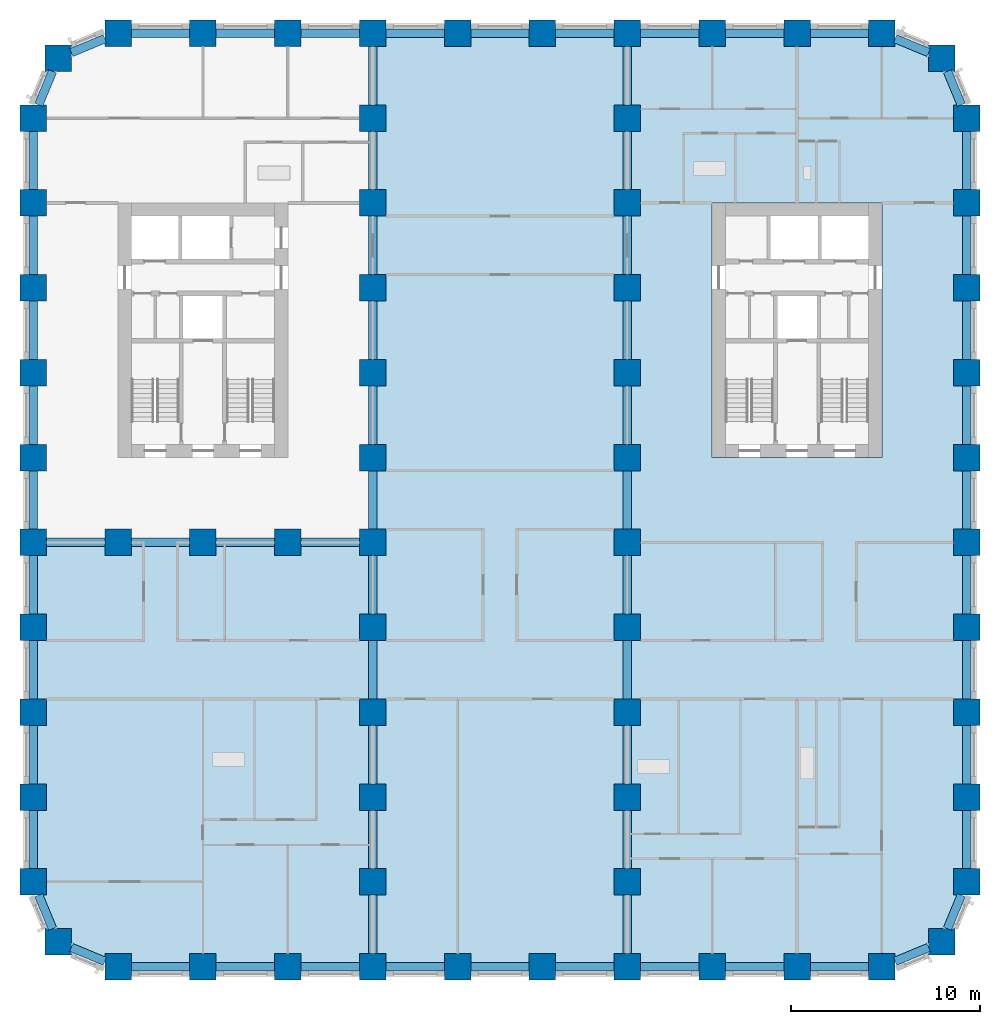
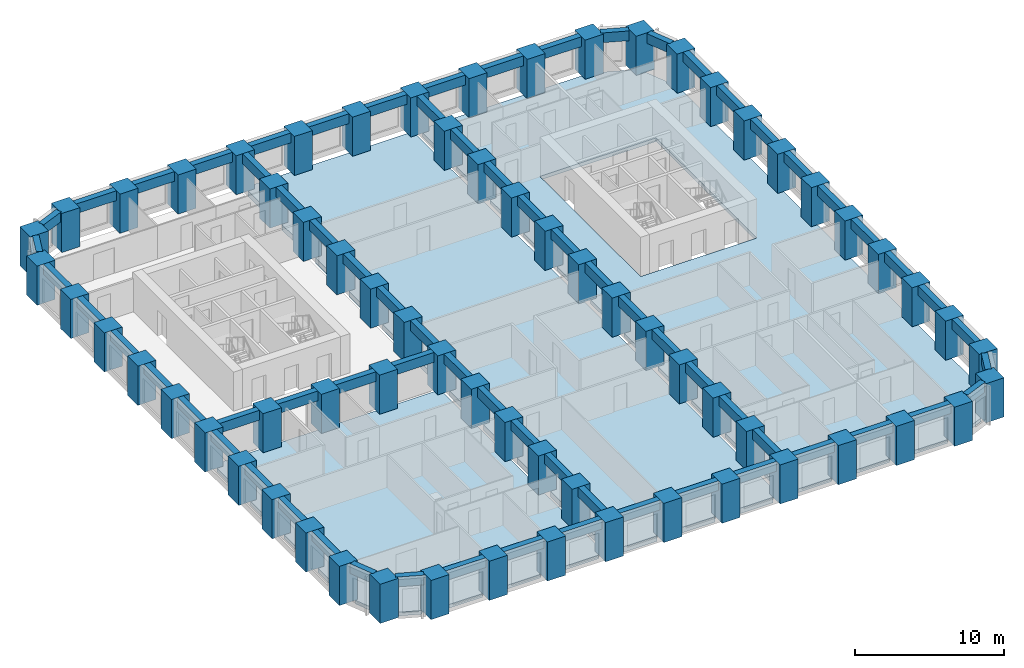
# One storey, part 1 of 12: 70 beams, 67 columns, 3 slabs.
"""IFC4 building model written with IfcOpenShell, lengths in metres."""

from ifc_helpers import new_model, si_unit, direction, frame, origin, origin_2d, place, context, subcontext, project, spatial, polyline, rectangle, outline, extrude, material, layer, layer_set, material_profile, profile_set, type_object, element, save


model = new_model("IFC4")

# Units and contexts
model_context = context("Model", 3, precision=1e-05, world=origin(), true_north=direction((0.0, 1.0)))
body_context = subcontext(model_context, "Body", "Model", "MODEL_VIEW")
ifc_project = project(units=[si_unit("LENGTHUNIT", "METRE"), si_unit("AREAUNIT", "SQUARE_METRE"), si_unit("VOLUMEUNIT", "CUBIC_METRE"), si_unit("PLANEANGLEUNIT", "RADIAN"), si_unit("MASSUNIT", "GRAM", prefix="KILO")], contexts=[model_context])

# Site, building, storey
site_placement = place(None, origin())
site = spatial("IfcSite", under=ifc_project, at=site_placement, CompositionType="ELEMENT")
building_placement = place(site_placement, origin())
building = spatial("IfcBuilding", under=site, at=building_placement, Name="Girih Gate Residences", CompositionType="ELEMENT")
storey_placement = place(building_placement, frame((0.0, 0.0, 72.0)))
storey = spatial("IfcBuildingStorey", under=building, at=storey_placement, Name="L19", CompositionType="ELEMENT", Elevation=72.0)

# Columns
ifc_material_1 = material(Name="Concrete C80/95", Category="concrete")
ifc_material_profile_1 = material_profile(ifc_material_1, rectangle(XDim=1.39990234375, YDim=1.39990234375, at=origin_2d()))
ifc_profile_set_1 = profile_set([ifc_material_profile_1], Name="Concrete C80/95")
column_type = type_object("IfcColumnType", Name="Pier RC 1400x1400 Concrete C80/95", PredefinedType="COLUMN", material=ifc_profile_set_1)
for number, where, z_axis, x_axis, name in (
    (1, (4.5, 0.0, 0.0), (0.0, 0.0, 1.0), (1.0, 0.0, 0.0), "Pier P2A L19"),
    (2, (9.0, 0.0, 0.0), (0.0, 0.0, 1.0), (1.0, 0.0, 0.0), "Pier P3A L19"),
    (3, (13.5, 0.0, 0.0), (0.0, 0.0, 1.0), (1.0, 0.0, 0.0), "Pier P4A L19"),
    (4, (18.0, 0.0, 0.0), (0.0, 0.0, 1.0), (1.0, 0.0, 0.0), "Pier P5A L19"),
    (5, (22.5, 0.0, 0.0), (0.0, 0.0, 1.0), (1.0, 0.0, 0.0), "Pier P6A L19"),
    (6, (27.0, 0.0, 0.0), (0.0, 0.0, 1.0), (1.0, 0.0, 0.0), "Pier P7A L19"),
    (7, (31.5, 0.0, 0.0), (0.0, 0.0, 1.0), (1.0, 0.0, 0.0), "Pier P8A L19"),
    (8, (36.0, 0.0, 0.0), (0.0, 0.0, 1.0), (1.0, 0.0, 0.0), "Pier P9A L19"),
    (9, (40.5, 0.0, 0.0), (0.0, 0.0, 1.0), (1.0, 0.0, 0.0), "Pier P10A L19"),
    (10, (45.0, 0.0, 0.0), (0.0, 0.0, 1.0), (1.0, 0.0, 0.0), "Pier P11A L19"),
    (11, (1.318115234375, 1.318115234375, 0.0), (0.0, 0.0, 1.0), (1.0, 0.0, 0.0), "Pier P1ANE L19"),
    (12, (48.181884765625, 1.318115234375, 0.0), (0.0, 0.0, 1.0), (1.0, 0.0, 0.0), "Pier P12ANW L19"),
    (13, (0.0, 4.5, 0.0), (0.0, 0.0, 1.0), (1.0, 0.0, 0.0), "Pier P1B L19"),
    (14, (18.0, 4.5, 0.0), (0.0, 0.0, 1.0), (1.0, 0.0, 0.0), "Pier P5B L19"),
    (15, (31.5, 4.5, 0.0), (0.0, 0.0, 1.0), (1.0, 0.0, 0.0), "Pier P8B L19"),
    (16, (49.5, 4.5, 0.0), (0.0, 0.0, 1.0), (1.0, 0.0, 0.0), "Pier P12B L19"),
    (17, (0.0, 9.0, 0.0), (0.0, 0.0, 1.0), (1.0, 0.0, 0.0), "Pier P1C L19"),
    (18, (18.0, 9.0, 0.0), (0.0, 0.0, 1.0), (1.0, 0.0, 0.0), "Pier P5C L19"),
    (19, (31.5, 9.0, 0.0), (0.0, 0.0, 1.0), (1.0, 0.0, 0.0), "Pier P8C L19"),
    (20, (49.5, 9.0, 0.0), (0.0, 0.0, 1.0), (1.0, 0.0, 0.0), "Pier P12C L19"),
    (21, (0.0, 13.5, 0.0), (0.0, 0.0, 1.0), (1.0, 0.0, 0.0), "Pier P1D L19"),
    (22, (18.0, 13.5, 0.0), (0.0, 0.0, 1.0), (1.0, 0.0, 0.0), "Pier P5D L19"),
    (23, (31.5, 13.5, 0.0), (0.0, 0.0, 1.0), (1.0, 0.0, 0.0), "Pier P8D L19"),
    (24, (49.5, 13.5, 0.0), (0.0, 0.0, 1.0), (1.0, 0.0, 0.0), "Pier P12D L19"),
    (25, (0.0, 18.0, 0.0), (0.0, 0.0, 1.0), (1.0, 0.0, 0.0), "Pier P1E L19"),
    (26, (18.0, 18.0, 0.0), (0.0, 0.0, 1.0), (1.0, 0.0, 0.0), "Pier P5E L19"),
    (27, (31.5, 18.0, 0.0), (0.0, 0.0, 1.0), (1.0, 0.0, 0.0), "Pier P8E L19"),
    (28, (49.5, 18.0, 0.0), (0.0, 0.0, 1.0), (1.0, 0.0, 0.0), "Pier P12E L19"),
    (29, (0.0, 22.5, 0.0), (0.0, 0.0, 1.0), (1.0, 0.0, 0.0), "Pier P1F L19"),
    (30, (4.5, 22.5, 0.0), (0.0, 0.0, 1.0), (1.0, 0.0, 0.0), "Pier P2F L19"),
    (31, (9.0, 22.5, 0.0), (0.0, 0.0, 1.0), (1.0, 0.0, 0.0), "Pier P3F L19"),
    (32, (13.5, 22.5, 0.0), (0.0, 0.0, 1.0), (1.0, 0.0, 0.0), "Pier P4F L19"),
    (33, (18.0, 22.5, 0.0), (0.0, 0.0, 1.0), (1.0, 0.0, 0.0), "Pier P5F L19"),
    (34, (31.5, 22.5, 0.0), (0.0, 0.0, 1.0), (1.0, 0.0, 0.0), "Pier P8F L19"),
    (35, (49.5, 22.5, 0.0), (0.0, 0.0, 1.0), (1.0, 0.0, 0.0), "Pier P12F L19"),
    (36, (0.0, 27.0, 0.0), (0.0, 0.0, 1.0), (1.0, 0.0, 0.0), "Pier P1G L19"),
    (37, (18.0, 27.0, 0.0), (0.0, 0.0, 1.0), (1.0, 0.0, 0.0), "Pier P5G L19"),
    (38, (31.5, 27.0, 0.0), (0.0, 0.0, 1.0), (1.0, 0.0, 0.0), "Pier P8G L19"),
    (39, (49.5, 27.0, 0.0), (0.0, 0.0, 1.0), (1.0, 0.0, 0.0), "Pier P12G L19"),
    (40, (0.0, 31.5, 0.0), (0.0, 0.0, 1.0), (1.0, 0.0, 0.0), "Pier P1H L19"),
    (41, (18.0, 31.5, 0.0), (0.0, 0.0, 1.0), (1.0, 0.0, 0.0), "Pier P5H L19"),
    (42, (31.5, 31.5, 0.0), (0.0, 0.0, 1.0), (1.0, 0.0, 0.0), "Pier P8H L19"),
    (43, (49.5, 31.5, 0.0), (0.0, 0.0, 1.0), (1.0, 0.0, 0.0), "Pier P12H L19"),
    (44, (0.0, 36.0, 0.0), (0.0, 0.0, 1.0), (1.0, 0.0, 0.0), "Pier P1I L19"),
    (45, (18.0, 36.0, 0.0), (0.0, 0.0, 1.0), (1.0, 0.0, 0.0), "Pier P5I L19"),
    (46, (31.5, 36.0, 0.0), (0.0, 0.0, 1.0), (1.0, 0.0, 0.0), "Pier P8I L19"),
    (47, (49.5, 36.0, 0.0), (0.0, 0.0, 1.0), (1.0, 0.0, 0.0), "Pier P12I L19"),
    (48, (0.0, 40.5, 0.0), (0.0, 0.0, 1.0), (1.0, 0.0, 0.0), "Pier P1J L19"),
    (49, (18.0, 40.5, 0.0), (0.0, 0.0, 1.0), (1.0, 0.0, 0.0), "Pier P5J L19"),
    (50, (31.5, 40.5, 0.0), (0.0, 0.0, 1.0), (1.0, 0.0, 0.0), "Pier P8J L19"),
    (51, (49.5, 40.5, 0.0), (0.0, 0.0, 1.0), (1.0, 0.0, 0.0), "Pier P12J L19"),
    (52, (0.0, 45.0, 0.0), (0.0, 0.0, 1.0), (1.0, 0.0, 0.0), "Pier P1K L19"),
    (53, (18.0, 45.0, 0.0), (0.0, 0.0, 1.0), (1.0, 0.0, 0.0), "Pier P5K L19"),
    (54, (31.5, 45.0, 0.0), (0.0, 0.0, 1.0), (1.0, 0.0, 0.0), "Pier P8K L19"),
    (55, (49.5, 45.0, 0.0), (0.0, 0.0, 1.0), (1.0, 0.0, 0.0), "Pier P12K L19"),
    (56, (1.318115234375, 48.181884765625, 0.0), (0.0, 0.0, 1.0), (1.0, 0.0, 0.0), "Pier P1LSE L19"),
    (57, (48.181884765625, 48.181884765625, 0.0), (0.0, 0.0, 1.0), (1.0, 0.0, 0.0), "Pier P12LSW L19"),
    (58, (4.5, 49.5, 0.0), (0.0, 0.0, 1.0), (1.0, 0.0, 0.0), "Pier P2L L19"),
    (59, (9.0, 49.5, 0.0), (0.0, 0.0, 1.0), (1.0, 0.0, 0.0), "Pier P3L L19"),
    (60, (13.5, 49.5, 0.0), (0.0, 0.0, 1.0), (1.0, 0.0, 0.0), "Pier P4L L19"),
    (61, (18.0, 49.5, 0.0), (0.0, 0.0, 1.0), (1.0, 0.0, 0.0), "Pier P5L L19"),
    (62, (22.5, 49.5, 0.0), (0.0, 0.0, 1.0), (1.0, 0.0, 0.0), "Pier P6L L19"),
    (63, (27.0, 49.5, 0.0), (0.0, 0.0, 1.0), (1.0, 0.0, 0.0), "Pier P7L L19"),
    (64, (31.5, 49.5, 0.0), (0.0, 0.0, 1.0), (1.0, 0.0, 0.0), "Pier P8L L19"),
    (65, (36.0, 49.5, 0.0), (0.0, 0.0, 1.0), (1.0, 0.0, 0.0), "Pier P9L L19"),
    (66, (40.5, 49.5, 0.0), (0.0, 0.0, 1.0), (1.0, 0.0, 0.0), "Pier P10L L19"),
    (67, (45.0, 49.5, 0.0), (0.0, 0.0, 1.0), (1.0, 0.0, 0.0), "Pier P11L L19"),
):
    element("IfcColumn", number, at=place(storey_placement, frame(where, z_axis=z_axis, x_axis=x_axis)), inside=storey, type_object=column_type, Name=name, PredefinedType="COLUMN", context=body_context, shape_type="SweptSolid", body=[
        extrude(rectangle(XDim=1.39990234375, YDim=1.39990234375, at=origin_2d()), origin(), (0.0, 0.0, 1.0), 3.199951171875),
    ])

# Beams
ifc_material_2 = material(Name="Concrete C60/75", Category="concrete")
ifc_material_profile_2 = material_profile(ifc_material_2, rectangle(XDim=0.449951171875, YDim=0.800048828125, at=origin_2d()))
ifc_profile_set_2 = profile_set([ifc_material_profile_2], Name="Concrete C60/75")
beam_type = type_object("IfcBeamType", Name="Spandrel girder RC 450x800 Concrete C60/75", PredefinedType="BEAM", material=ifc_profile_set_2)
for number, where, z_axis, x_axis, name in (
    (68, (0.2900390625, 3.800048828125, 2.800048828125), (0.382646180293, -0.923894961945, 0.0), (0.923894961945, 0.382646180293, 0.0), "Spandrel girder SP-P1B-P1ANE L19"),
    (69, (2.01806640625, 1.028076171875, 2.800048828125), (0.923894961945, -0.382646180293, 0.0), (0.382646180293, 0.923894961945, 0.0), "Spandrel girder SP-P1ANE-P2A L19"),
):
    element("IfcBeam", number, at=place(storey_placement, frame(where, z_axis=z_axis, x_axis=x_axis)), inside=storey, type_object=beam_type, Name=name, PredefinedType="BEAM", context=body_context, shape_type="SweptSolid", body=[
        extrude(rectangle(XDim=0.449951171875, YDim=0.800048828125, at=origin_2d()), origin(), (0.0, 0.0, 1.0), 1.9287109375),
    ])
for number, where, z_axis, x_axis, name in (
    (70, (5.199951171875, 0.0, 2.800048828125), (1.0, 0.0, 0.0), (0.0, 1.0, 0.0), "Spandrel girder SP-P2A-P3A L19"),
    (71, (9.699951171875, 0.0, 2.800048828125), (1.0, 0.0, 0.0), (0.0, 1.0, 0.0), "Spandrel girder SP-P3A-P4A L19"),
    (72, (14.199951171875, 0.0, 2.800048828125), (1.0, 0.0, 0.0), (0.0, 1.0, 0.0), "Spandrel girder SP-P4A-P5A L19"),
    (73, (18.699951171875, 0.0, 2.800048828125), (1.0, 0.0, 0.0), (0.0, 1.0, 0.0), "Spandrel girder SP-P5A-P6A L19"),
    (74, (23.199951171875, 0.0, 2.800048828125), (1.0, 0.0, 0.0), (0.0, 1.0, 0.0), "Spandrel girder SP-P6A-P7A L19"),
    (75, (27.699951171875, 0.0, 2.800048828125), (1.0, 0.0, 0.0), (0.0, 1.0, 0.0), "Spandrel girder SP-P7A-P8A L19"),
    (76, (32.199951171875, 0.0, 2.800048828125), (1.0, 0.0, 0.0), (0.0, 1.0, 0.0), "Spandrel girder SP-P8A-P9A L19"),
    (77, (36.699951171875, 0.0, 2.800048828125), (1.0, 0.0, 0.0), (0.0, 1.0, 0.0), "Spandrel girder SP-P9A-P10A L19"),
    (78, (41.199951171875, 0.0, 2.800048828125), (1.0, 0.0, 0.0), (0.0, 1.0, 0.0), "Spandrel girder SP-P10A-P11A L19"),
):
    element("IfcBeam", number, at=place(storey_placement, frame(where, z_axis=z_axis, x_axis=x_axis)), inside=storey, type_object=beam_type, Name=name, PredefinedType="BEAM", context=body_context, shape_type="SweptSolid", body=[
        extrude(rectangle(XDim=0.449951171875, YDim=0.800048828125, at=origin_2d()), origin(), (0.0, 0.0, 1.0), 3.10009765625),
    ])
for number, where, z_axis, x_axis, name in (
    (79, (45.699951171875, 0.2900390625, 2.800048828125), (0.923894961945, 0.382646180293, 0.0), (-0.382646180293, 0.923894961945, 0.0), "Spandrel girder SP-P11A-P12ANW L19"),
    (80, (48.471923828125, 2.01806640625, 2.800048828125), (0.382646180293, 0.923894961945, 0.0), (-0.923894961945, 0.382646180293, 0.0), "Spandrel girder SP-P12ANW-P12B L19"),
):
    element("IfcBeam", number, at=place(storey_placement, frame(where, z_axis=z_axis, x_axis=x_axis)), inside=storey, type_object=beam_type, Name=name, PredefinedType="BEAM", context=body_context, shape_type="SweptSolid", body=[
        extrude(rectangle(XDim=0.449951171875, YDim=0.800048828125, at=origin_2d()), origin(), (0.0, 0.0, 1.0), 1.9287109375),
    ])
for number, where, z_axis, x_axis, name in (
    (81, (49.5, 5.199951171875, 2.800048828125), (0.0, 1.0, 0.0), (-1.0, 0.0, 0.0), "Spandrel girder SP-P12B-P12C L19"),
    (82, (49.5, 9.699951171875, 2.800048828125), (0.0, 1.0, 0.0), (-1.0, 0.0, 0.0), "Spandrel girder SP-P12C-P12D L19"),
    (83, (49.5, 14.199951171875, 2.800048828125), (0.0, 1.0, 0.0), (-1.0, 0.0, 0.0), "Spandrel girder SP-P12D-P12E L19"),
    (84, (49.5, 18.699951171875, 2.800048828125), (0.0, 1.0, 0.0), (-1.0, 0.0, 0.0), "Spandrel girder SP-P12E-P12F L19"),
    (85, (49.5, 23.199951171875, 2.800048828125), (0.0, 1.0, 0.0), (-1.0, 0.0, 0.0), "Spandrel girder SP-P12F-P12G L19"),
    (86, (49.5, 27.699951171875, 2.800048828125), (0.0, 1.0, 0.0), (-1.0, 0.0, 0.0), "Spandrel girder SP-P12G-P12H L19"),
    (87, (49.5, 32.199951171875, 2.800048828125), (0.0, 1.0, 0.0), (-1.0, 0.0, 0.0), "Spandrel girder SP-P12H-P12I L19"),
    (88, (49.5, 36.699951171875, 2.800048828125), (0.0, 1.0, 0.0), (-1.0, 0.0, 0.0), "Spandrel girder SP-P12I-P12J L19"),
    (89, (49.5, 41.199951171875, 2.800048828125), (0.0, 1.0, 0.0), (-1.0, 0.0, 0.0), "Spandrel girder SP-P12J-P12K L19"),
):
    element("IfcBeam", number, at=place(storey_placement, frame(where, z_axis=z_axis, x_axis=x_axis)), inside=storey, type_object=beam_type, Name=name, PredefinedType="BEAM", context=body_context, shape_type="SweptSolid", body=[
        extrude(rectangle(XDim=0.449951171875, YDim=0.800048828125, at=origin_2d()), origin(), (0.0, 0.0, 1.0), 3.10009765625),
    ])
for number, where, z_axis, x_axis, name in (
    (90, (49.2099609375, 45.699951171875, 2.800048828125), (-0.382646180293, 0.923894961945, 0.0), (-0.923894961945, -0.382646180293, 0.0), "Spandrel girder SP-P12K-P12LSW L19"),
    (91, (47.48193359375, 48.471923828125, 2.800048828125), (-0.923894961945, 0.382646180293, 0.0), (-0.382646180293, -0.923894961945, 0.0), "Spandrel girder SP-P12LSW-P11L L19"),
):
    element("IfcBeam", number, at=place(storey_placement, frame(where, z_axis=z_axis, x_axis=x_axis)), inside=storey, type_object=beam_type, Name=name, PredefinedType="BEAM", context=body_context, shape_type="SweptSolid", body=[
        extrude(rectangle(XDim=0.449951171875, YDim=0.800048828125, at=origin_2d()), origin(), (0.0, 0.0, 1.0), 1.9287109375),
    ])
for number, where, z_axis, x_axis, name in (
    (92, (44.300048828125, 49.5, 2.800048828125), (-1.0, 0.0, 0.0), (0.0, -1.0, 0.0), "Spandrel girder SP-P11L-P10L L19"),
    (93, (39.800048828125, 49.5, 2.800048828125), (-1.0, 0.0, 0.0), (0.0, -1.0, 0.0), "Spandrel girder SP-P10L-P9L L19"),
    (94, (35.300048828125, 49.5, 2.800048828125), (-1.0, 0.0, 0.0), (0.0, -1.0, 0.0), "Spandrel girder SP-P9L-P8L L19"),
    (95, (30.800048828125, 49.5, 2.800048828125), (-1.0, 0.0, 0.0), (0.0, -1.0, 0.0), "Spandrel girder SP-P8L-P7L L19"),
    (96, (26.300048828125, 49.5, 2.800048828125), (-1.0, 0.0, 0.0), (0.0, -1.0, 0.0), "Spandrel girder SP-P7L-P6L L19"),
    (97, (21.800048828125, 49.5, 2.800048828125), (-1.0, 0.0, 0.0), (0.0, -1.0, 0.0), "Spandrel girder SP-P6L-P5L L19"),
    (98, (17.300048828125, 49.5, 2.800048828125), (-1.0, 0.0, 0.0), (0.0, -1.0, 0.0), "Spandrel girder SP-P5L-P4L L19"),
    (99, (12.800048828125, 49.5, 2.800048828125), (-1.0, 0.0, 0.0), (0.0, -1.0, 0.0), "Spandrel girder SP-P4L-P3L L19"),
    (100, (8.300048828125, 49.5, 2.800048828125), (-1.0, 0.0, 0.0), (0.0, -1.0, 0.0), "Spandrel girder SP-P3L-P2L L19"),
):
    element("IfcBeam", number, at=place(storey_placement, frame(where, z_axis=z_axis, x_axis=x_axis)), inside=storey, type_object=beam_type, Name=name, PredefinedType="BEAM", context=body_context, shape_type="SweptSolid", body=[
        extrude(rectangle(XDim=0.449951171875, YDim=0.800048828125, at=origin_2d()), origin(), (0.0, 0.0, 1.0), 3.10009765625),
    ])
for number, where, z_axis, x_axis, name in (
    (101, (3.800048828125, 49.2099609375, 2.800048828125), (-0.923894961945, -0.382646180293, 0.0), (0.382646180293, -0.923894961945, 0.0), "Spandrel girder SP-P2L-P1LSE L19"),
    (102, (1.028076171875, 47.48193359375, 2.800048828125), (-0.382646180293, -0.923894961945, 0.0), (0.923894961945, -0.382646180293, 0.0), "Spandrel girder SP-P1LSE-P1K L19"),
):
    element("IfcBeam", number, at=place(storey_placement, frame(where, z_axis=z_axis, x_axis=x_axis)), inside=storey, type_object=beam_type, Name=name, PredefinedType="BEAM", context=body_context, shape_type="SweptSolid", body=[
        extrude(rectangle(XDim=0.449951171875, YDim=0.800048828125, at=origin_2d()), origin(), (0.0, 0.0, 1.0), 1.9287109375),
    ])
for number, where, z_axis, x_axis, name in (
    (103, (0.0, 44.300048828125, 2.800048828125), (0.0, -1.0, 0.0), (1.0, 0.0, 0.0), "Spandrel girder SP-P1K-P1J L19"),
    (104, (0.0, 39.800048828125, 2.800048828125), (0.0, -1.0, 0.0), (1.0, 0.0, 0.0), "Spandrel girder SP-P1J-P1I L19"),
    (105, (0.0, 35.300048828125, 2.800048828125), (0.0, -1.0, 0.0), (1.0, 0.0, 0.0), "Spandrel girder SP-P1I-P1H L19"),
    (106, (0.0, 30.800048828125, 2.800048828125), (0.0, -1.0, 0.0), (1.0, 0.0, 0.0), "Spandrel girder SP-P1H-P1G L19"),
    (107, (0.0, 26.300048828125, 2.800048828125), (0.0, -1.0, 0.0), (1.0, 0.0, 0.0), "Spandrel girder SP-P1G-P1F L19"),
    (108, (0.0, 21.800048828125, 2.800048828125), (0.0, -1.0, 0.0), (1.0, 0.0, 0.0), "Spandrel girder SP-P1F-P1E L19"),
    (109, (0.0, 17.300048828125, 2.800048828125), (0.0, -1.0, 0.0), (1.0, 0.0, 0.0), "Spandrel girder SP-P1E-P1D L19"),
    (110, (0.0, 12.800048828125, 2.800048828125), (0.0, -1.0, 0.0), (1.0, 0.0, 0.0), "Spandrel girder SP-P1D-P1C L19"),
    (111, (0.0, 8.300048828125, 2.800048828125), (0.0, -1.0, 0.0), (1.0, 0.0, 0.0), "Spandrel girder SP-P1C-P1B L19"),
    (112, (18.0, 0.699951171875, 2.800048828125), (0.0, 1.0, 0.0), (-1.0, 0.0, 0.0), "Spandrel girder SP-P5A-P5B L19"),
    (113, (18.0, 5.199951171875, 2.800048828125), (0.0, 1.0, 0.0), (-1.0, 0.0, 0.0), "Spandrel girder SP-P5B-P5C L19"),
    (114, (18.0, 9.699951171875, 2.800048828125), (0.0, 1.0, 0.0), (-1.0, 0.0, 0.0), "Spandrel girder SP-P5C-P5D L19"),
    (115, (18.0, 14.199951171875, 2.800048828125), (0.0, 1.0, 0.0), (-1.0, 0.0, 0.0), "Spandrel girder SP-P5D-P5E L19"),
    (116, (18.0, 18.699951171875, 2.800048828125), (0.0, 1.0, 0.0), (-1.0, 0.0, 0.0), "Spandrel girder SP-P5E-P5F L19"),
    (117, (18.0, 23.199951171875, 2.800048828125), (0.0, 1.0, 0.0), (-1.0, 0.0, 0.0), "Spandrel girder SP-P5F-P5G L19"),
    (118, (18.0, 27.699951171875, 2.800048828125), (0.0, 1.0, 0.0), (-1.0, 0.0, 0.0), "Spandrel girder SP-P5G-P5H L19"),
    (119, (18.0, 32.199951171875, 2.800048828125), (0.0, 1.0, 0.0), (-1.0, 0.0, 0.0), "Spandrel girder SP-P5H-P5I L19"),
    (120, (18.0, 36.699951171875, 2.800048828125), (0.0, 1.0, 0.0), (-1.0, 0.0, 0.0), "Spandrel girder SP-P5I-P5J L19"),
    (121, (18.0, 41.199951171875, 2.800048828125), (0.0, 1.0, 0.0), (-1.0, 0.0, 0.0), "Spandrel girder SP-P5J-P5K L19"),
    (122, (18.0, 45.699951171875, 2.800048828125), (0.0, 1.0, 0.0), (-1.0, 0.0, 0.0), "Spandrel girder SP-P5K-P5L L19"),
    (123, (31.5, 0.699951171875, 2.800048828125), (0.0, 1.0, 0.0), (-1.0, 0.0, 0.0), "Spandrel girder SP-P8A-P8B L19"),
    (124, (31.5, 5.199951171875, 2.800048828125), (0.0, 1.0, 0.0), (-1.0, 0.0, 0.0), "Spandrel girder SP-P8B-P8C L19"),
    (125, (31.5, 9.699951171875, 2.800048828125), (0.0, 1.0, 0.0), (-1.0, 0.0, 0.0), "Spandrel girder SP-P8C-P8D L19"),
    (126, (31.5, 14.199951171875, 2.800048828125), (0.0, 1.0, 0.0), (-1.0, 0.0, 0.0), "Spandrel girder SP-P8D-P8E L19"),
    (127, (31.5, 18.699951171875, 2.800048828125), (0.0, 1.0, 0.0), (-1.0, 0.0, 0.0), "Spandrel girder SP-P8E-P8F L19"),
    (128, (31.5, 23.199951171875, 2.800048828125), (0.0, 1.0, 0.0), (-1.0, 0.0, 0.0), "Spandrel girder SP-P8F-P8G L19"),
    (129, (31.5, 27.699951171875, 2.800048828125), (0.0, 1.0, 0.0), (-1.0, 0.0, 0.0), "Spandrel girder SP-P8G-P8H L19"),
    (130, (31.5, 32.199951171875, 2.800048828125), (0.0, 1.0, 0.0), (-1.0, 0.0, 0.0), "Spandrel girder SP-P8H-P8I L19"),
    (131, (31.5, 36.699951171875, 2.800048828125), (0.0, 1.0, 0.0), (-1.0, 0.0, 0.0), "Spandrel girder SP-P8I-P8J L19"),
    (132, (31.5, 41.199951171875, 2.800048828125), (0.0, 1.0, 0.0), (-1.0, 0.0, 0.0), "Spandrel girder SP-P8J-P8K L19"),
    (133, (31.5, 45.699951171875, 2.800048828125), (0.0, 1.0, 0.0), (-1.0, 0.0, 0.0), "Spandrel girder SP-P8K-P8L L19"),
    (134, (0.699951171875, 22.5, 2.800048828125), (1.0, 0.0, 0.0), (0.0, 1.0, 0.0), "Spandrel girder SP-P1F-P2F L19"),
    (135, (5.199951171875, 22.5, 2.800048828125), (1.0, 0.0, 0.0), (0.0, 1.0, 0.0), "Spandrel girder SP-P2F-P3F L19"),
    (136, (9.699951171875, 22.5, 2.800048828125), (1.0, 0.0, 0.0), (0.0, 1.0, 0.0), "Spandrel girder SP-P3F-P4F L19"),
    (137, (14.199951171875, 22.5, 2.800048828125), (1.0, 0.0, 0.0), (0.0, 1.0, 0.0), "Spandrel girder SP-P4F-P5F L19"),
):
    element("IfcBeam", number, at=place(storey_placement, frame(where, z_axis=z_axis, x_axis=x_axis)), inside=storey, type_object=beam_type, Name=name, PredefinedType="BEAM", context=body_context, shape_type="SweptSolid", body=[
        extrude(rectangle(XDim=0.449951171875, YDim=0.800048828125, at=origin_2d()), origin(), (0.0, 0.0, 1.0), 3.10009765625),
    ])

# Slabs
ifc_material_3 = material(Name="Concrete C40/50", Category="concrete")
ifc_layer_1 = layer(ifc_material_3, 0.300048828125)
ifc_layer_set_1 = layer_set([ifc_layer_1], Name="Floor slab PT 300 Concrete C40/50")
slab_type_1 = type_object("IfcSlabType", Name="Floor slab PT 300 Concrete C40/50", PredefinedType="FLOOR", material=ifc_layer_set_1)
slab_1_placement = place(storey_placement, frame((0.0, 0.0, -0.300048828125)))
element("IfcSlab", 138, at=slab_1_placement, inside=storey, type_object=slab_type_1, Name="Floor slab L19 0", PredefinedType="FLOOR", context=body_context, shape_type="SweptSolid", body=[
    extrude(outline(polyline([(0.22509765625, 8.300048828125), (0.22509765625, 5.199951171875), (0.699951171875, 5.199951171875), (0.699951171875, 3.800048828125), (0.533447265625, 3.800048828125), (1.271728515625, 2.01806640625), (2.01806640625, 2.01806640625), (2.01806640625, 1.271728515625), (3.800048828125, 0.533447265625), (3.800048828125, 0.699951171875), (5.199951171875, 0.699951171875), (5.199951171875, 0.22509765625), (8.300048828125, 0.22509765625), (8.300048828125, 0.699951171875), (9.699951171875, 0.699951171875), (9.699951171875, 0.22509765625), (12.800048828125, 0.22509765625), (12.800048828125, 0.699951171875), (14.199951171875, 0.699951171875), (14.199951171875, 0.22509765625), (17.300048828125, 0.22509765625), (17.300048828125, 0.699951171875), (17.77490234375, 0.699951171875), (17.77490234375, 3.800048828125), (17.300048828125, 3.800048828125), (17.300048828125, 5.199951171875), (17.77490234375, 5.199951171875), (17.77490234375, 8.300048828125), (17.300048828125, 8.300048828125), (17.300048828125, 9.699951171875), (17.77490234375, 9.699951171875), (17.77490234375, 12.800048828125), (17.300048828125, 12.800048828125), (17.300048828125, 14.199951171875), (17.77490234375, 14.199951171875), (17.77490234375, 17.300048828125), (17.300048828125, 17.300048828125), (17.300048828125, 18.699951171875), (17.77490234375, 18.699951171875), (17.77490234375, 21.800048828125), (17.300048828125, 21.800048828125), (17.300048828125, 22.27490234375), (14.199951171875, 22.27490234375), (14.199951171875, 21.800048828125), (12.800048828125, 21.800048828125), (12.800048828125, 22.27490234375), (9.699951171875, 22.27490234375), (9.699951171875, 21.800048828125), (8.300048828125, 21.800048828125), (8.300048828125, 22.27490234375), (5.199951171875, 22.27490234375), (5.199951171875, 21.800048828125), (3.800048828125, 21.800048828125), (3.800048828125, 22.27490234375), (0.699951171875, 22.27490234375), (0.699951171875, 21.800048828125), (0.22509765625, 21.800048828125), (0.22509765625, 18.699951171875), (0.699951171875, 18.699951171875), (0.699951171875, 17.300048828125), (0.22509765625, 17.300048828125), (0.22509765625, 14.199951171875), (0.699951171875, 14.199951171875), (0.699951171875, 12.800048828125), (0.22509765625, 12.800048828125), (0.22509765625, 9.699951171875), (0.699951171875, 9.699951171875), (0.699951171875, 8.300048828125), (0.22509765625, 8.300048828125)])), origin(), (0.0, 0.0, 1.0), 0.300048828125),
])
slab_2_placement = place(storey_placement, frame((0.0, 0.0, -0.300048828125)))
element("IfcSlab", 139, at=slab_2_placement, inside=storey, type_object=slab_type_1, Name="Floor slab L19 1", PredefinedType="FLOOR", context=body_context, shape_type="SweptSolid", body=[
    extrude(outline(polyline([(35.300048828125, 49.27490234375), (32.199951171875, 49.27490234375), (32.199951171875, 48.800048828125), (31.72509765625, 48.800048828125), (31.72509765625, 45.699951171875), (32.199951171875, 45.699951171875), (32.199951171875, 44.300048828125), (31.72509765625, 44.300048828125), (31.72509765625, 41.199951171875), (32.199951171875, 41.199951171875), (32.199951171875, 39.800048828125), (31.72509765625, 39.800048828125), (31.72509765625, 36.699951171875), (32.199951171875, 36.699951171875), (32.199951171875, 35.300048828125), (31.72509765625, 35.300048828125), (31.72509765625, 32.199951171875), (32.199951171875, 32.199951171875), (32.199951171875, 30.800048828125), (31.72509765625, 30.800048828125), (31.72509765625, 27.699951171875), (32.199951171875, 27.699951171875), (32.199951171875, 26.300048828125), (31.72509765625, 26.300048828125), (31.72509765625, 23.199951171875), (32.199951171875, 23.199951171875), (32.199951171875, 21.800048828125), (31.72509765625, 21.800048828125), (31.72509765625, 18.699951171875), (32.199951171875, 18.699951171875), (32.199951171875, 17.300048828125), (31.72509765625, 17.300048828125), (31.72509765625, 14.199951171875), (32.199951171875, 14.199951171875), (32.199951171875, 12.800048828125), (31.72509765625, 12.800048828125), (31.72509765625, 9.699951171875), (32.199951171875, 9.699951171875), (32.199951171875, 8.300048828125), (31.72509765625, 8.300048828125), (31.72509765625, 5.199951171875), (32.199951171875, 5.199951171875), (32.199951171875, 3.800048828125), (31.72509765625, 3.800048828125), (31.72509765625, 0.699951171875), (32.199951171875, 0.699951171875), (32.199951171875, 0.22509765625), (35.300048828125, 0.22509765625), (35.300048828125, 0.699951171875), (36.699951171875, 0.699951171875), (36.699951171875, 0.22509765625), (39.800048828125, 0.22509765625), (39.800048828125, 0.699951171875), (41.199951171875, 0.699951171875), (41.199951171875, 0.22509765625), (44.300048828125, 0.22509765625), (44.300048828125, 0.699951171875), (45.699951171875, 0.699951171875), (45.699951171875, 0.533447265625), (47.48193359375, 1.271728515625), (47.48193359375, 2.01806640625), (48.228271484375, 2.01806640625), (48.966552734375, 3.800048828125), (48.800048828125, 3.800048828125), (48.800048828125, 5.199951171875), (49.27490234375, 5.199951171875), (49.27490234375, 8.300048828125), (48.800048828125, 8.300048828125), (48.800048828125, 9.699951171875), (49.27490234375, 9.699951171875), (49.27490234375, 12.800048828125), (48.800048828125, 12.800048828125), (48.800048828125, 14.199951171875), (49.27490234375, 14.199951171875), (49.27490234375, 17.300048828125), (48.800048828125, 17.300048828125), (48.800048828125, 18.699951171875), (49.27490234375, 18.699951171875), (49.27490234375, 21.800048828125), (48.800048828125, 21.800048828125), (48.800048828125, 23.199951171875), (49.27490234375, 23.199951171875), (49.27490234375, 26.300048828125), (48.800048828125, 26.300048828125), (48.800048828125, 27.699951171875), (49.27490234375, 27.699951171875), (49.27490234375, 30.800048828125), (48.800048828125, 30.800048828125), (48.800048828125, 32.199951171875), (49.27490234375, 32.199951171875), (49.27490234375, 35.300048828125), (48.800048828125, 35.300048828125), (48.800048828125, 36.699951171875), (49.27490234375, 36.699951171875), (49.27490234375, 39.800048828125), (48.800048828125, 39.800048828125), (48.800048828125, 41.199951171875), (49.27490234375, 41.199951171875), (49.27490234375, 44.300048828125), (48.800048828125, 44.300048828125), (48.800048828125, 45.699951171875), (48.966552734375, 45.699951171875), (48.228271484375, 47.48193359375), (47.48193359375, 47.48193359375), (47.48193359375, 48.228271484375), (45.699951171875, 48.966552734375), (45.699951171875, 48.800048828125), (44.300048828125, 48.800048828125), (44.300048828125, 49.27490234375), (41.199951171875, 49.27490234375), (41.199951171875, 48.800048828125), (39.800048828125, 48.800048828125), (39.800048828125, 49.27490234375), (36.699951171875, 49.27490234375), (36.699951171875, 48.800048828125), (35.300048828125, 48.800048828125), (35.300048828125, 49.27490234375)]), holes=[polyline([(45.0, 40.5), (45.0, 27.0), (36.0, 27.0), (36.0, 40.5), (45.0, 40.5)])]), origin(), (0.0, 0.0, 1.0), 0.300048828125),
])
ifc_layer_2 = layer(ifc_material_3, 0.449951171875)
ifc_layer_set_2 = layer_set([ifc_layer_2], Name="Floor slab PT 450 Concrete C40/50")
slab_type_2 = type_object("IfcSlabType", Name="Floor slab PT 450 Concrete C40/50", PredefinedType="FLOOR", material=ifc_layer_set_2)
slab_3_placement = place(storey_placement, frame((0.0, 0.0, -0.449951171875)))
element("IfcSlab", 140, at=slab_3_placement, inside=storey, type_object=slab_type_2, Name="Floor slab L19 2", PredefinedType="FLOOR", context=body_context, shape_type="SweptSolid", body=[
    extrude(outline(polyline([(21.800048828125, 49.27490234375), (18.699951171875, 49.27490234375), (18.699951171875, 48.800048828125), (18.22509765625, 48.800048828125), (18.22509765625, 45.699951171875), (18.699951171875, 45.699951171875), (18.699951171875, 44.300048828125), (18.22509765625, 44.300048828125), (18.22509765625, 41.199951171875), (18.699951171875, 41.199951171875), (18.699951171875, 39.800048828125), (18.22509765625, 39.800048828125), (18.22509765625, 36.699951171875), (18.699951171875, 36.699951171875), (18.699951171875, 35.300048828125), (18.22509765625, 35.300048828125), (18.22509765625, 32.199951171875), (18.699951171875, 32.199951171875), (18.699951171875, 30.800048828125), (18.22509765625, 30.800048828125), (18.22509765625, 27.699951171875), (18.699951171875, 27.699951171875), (18.699951171875, 26.300048828125), (18.22509765625, 26.300048828125), (18.22509765625, 23.199951171875), (18.699951171875, 23.199951171875), (18.699951171875, 21.800048828125), (18.22509765625, 21.800048828125), (18.22509765625, 18.699951171875), (18.699951171875, 18.699951171875), (18.699951171875, 17.300048828125), (18.22509765625, 17.300048828125), (18.22509765625, 14.199951171875), (18.699951171875, 14.199951171875), (18.699951171875, 12.800048828125), (18.22509765625, 12.800048828125), (18.22509765625, 9.699951171875), (18.699951171875, 9.699951171875), (18.699951171875, 8.300048828125), (18.22509765625, 8.300048828125), (18.22509765625, 5.199951171875), (18.699951171875, 5.199951171875), (18.699951171875, 3.800048828125), (18.22509765625, 3.800048828125), (18.22509765625, 0.699951171875), (18.699951171875, 0.699951171875), (18.699951171875, 0.22509765625), (21.800048828125, 0.22509765625), (21.800048828125, 0.699951171875), (23.199951171875, 0.699951171875), (23.199951171875, 0.22509765625), (26.300048828125, 0.22509765625), (26.300048828125, 0.699951171875), (27.699951171875, 0.699951171875), (27.699951171875, 0.22509765625), (30.800048828125, 0.22509765625), (30.800048828125, 0.699951171875), (31.27490234375, 0.699951171875), (31.27490234375, 3.800048828125), (30.800048828125, 3.800048828125), (30.800048828125, 5.199951171875), (31.27490234375, 5.199951171875), (31.27490234375, 8.300048828125), (30.800048828125, 8.300048828125), (30.800048828125, 9.699951171875), (31.27490234375, 9.699951171875), (31.27490234375, 12.800048828125), (30.800048828125, 12.800048828125), (30.800048828125, 14.199951171875), (31.27490234375, 14.199951171875), (31.27490234375, 17.300048828125), (30.800048828125, 17.300048828125), (30.800048828125, 18.699951171875), (31.27490234375, 18.699951171875), (31.27490234375, 21.800048828125), (30.800048828125, 21.800048828125), (30.800048828125, 23.199951171875), (31.27490234375, 23.199951171875), (31.27490234375, 26.300048828125), (30.800048828125, 26.300048828125), (30.800048828125, 27.699951171875), (31.27490234375, 27.699951171875), (31.27490234375, 30.800048828125), (30.800048828125, 30.800048828125), (30.800048828125, 32.199951171875), (31.27490234375, 32.199951171875), (31.27490234375, 35.300048828125), (30.800048828125, 35.300048828125), (30.800048828125, 36.699951171875), (31.27490234375, 36.699951171875), (31.27490234375, 39.800048828125), (30.800048828125, 39.800048828125), (30.800048828125, 41.199951171875), (31.27490234375, 41.199951171875), (31.27490234375, 44.300048828125), (30.800048828125, 44.300048828125), (30.800048828125, 45.699951171875), (31.27490234375, 45.699951171875), (31.27490234375, 48.800048828125), (30.800048828125, 48.800048828125), (30.800048828125, 49.27490234375), (27.699951171875, 49.27490234375), (27.699951171875, 48.800048828125), (26.300048828125, 48.800048828125), (26.300048828125, 49.27490234375), (23.199951171875, 49.27490234375), (23.199951171875, 48.800048828125), (21.800048828125, 48.800048828125), (21.800048828125, 49.27490234375)])), origin(), (0.0, 0.0, 1.0), 0.449951171875),
])

save(model, "model.ifc")
